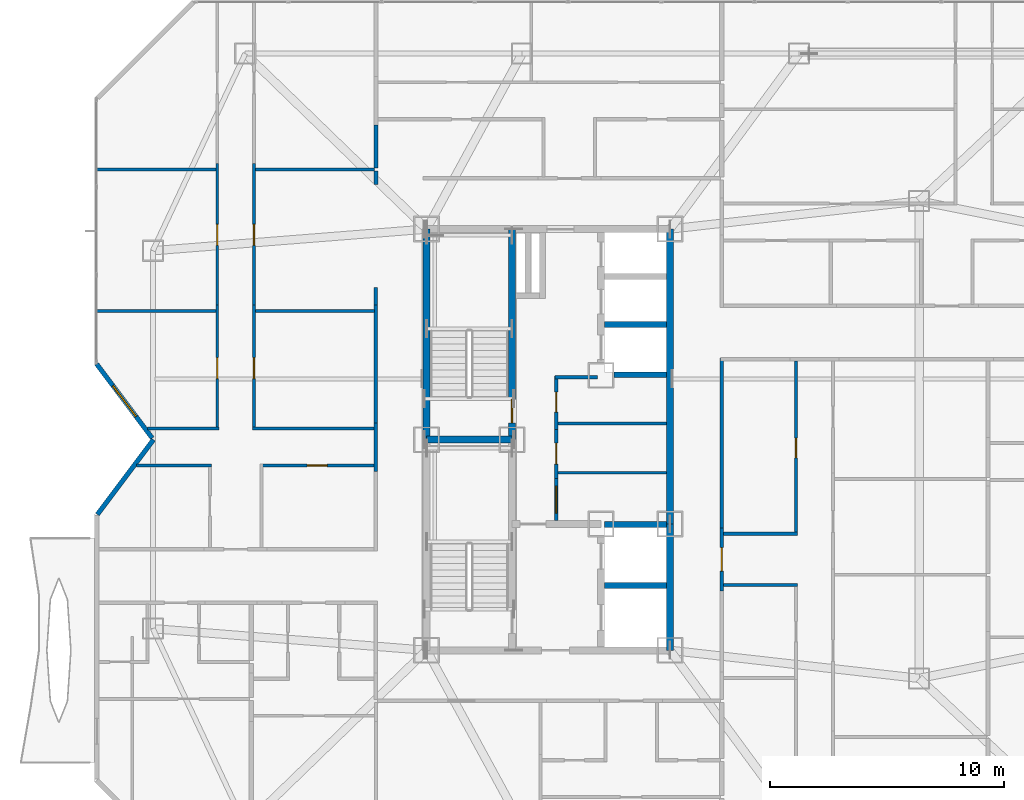
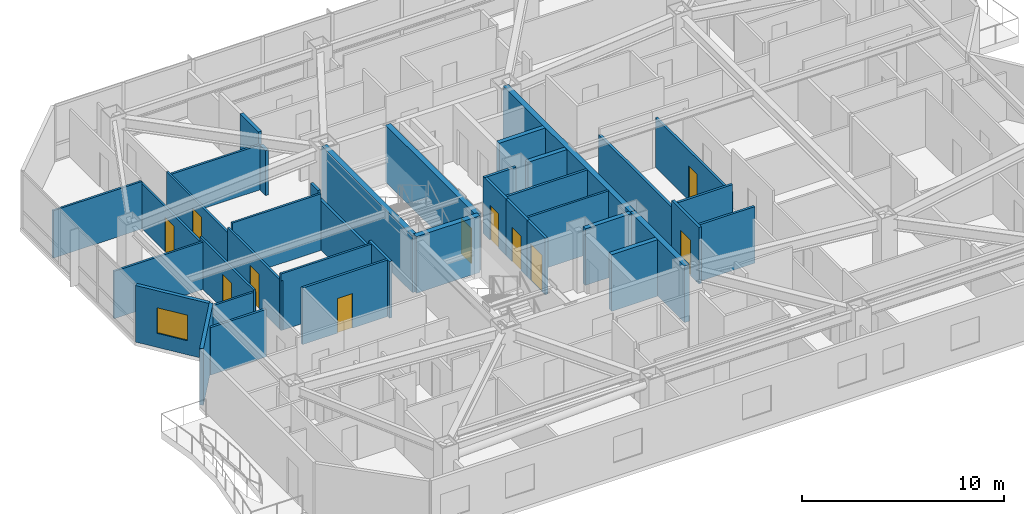
# One storey, part 16 of 21: 39 walls, 11 doors, 1 window, 12 openings.
"""IFC4 building model written with IfcOpenShell, lengths in metres."""

from ifc_helpers import new_model, si_unit, direction, frame, frame_2d, origin, place, context, subcontext, project, spatial, rectangle, extrude, material, layer, layer_set, type_object, element, fill, save


model = new_model("IFC4")

# Units and contexts
model_context = context("Model", 3, precision=1e-05, world=origin(), true_north=direction((0.0, 1.0)))
body_context = subcontext(model_context, "Body", "Model", "MODEL_VIEW")
ifc_project = project(units=[si_unit("LENGTHUNIT", "METRE"), si_unit("AREAUNIT", "SQUARE_METRE"), si_unit("VOLUMEUNIT", "CUBIC_METRE"), si_unit("PLANEANGLEUNIT", "RADIAN"), si_unit("MASSUNIT", "GRAM", prefix="KILO")], contexts=[model_context])

# Site, building, storey
site_placement = place(None, origin())
site = spatial("IfcSite", under=ifc_project, at=site_placement, CompositionType="ELEMENT")
building_placement = place(site_placement, origin())
building = spatial("IfcBuilding", under=site, at=building_placement, Name="Khamvora Tower", CompositionType="ELEMENT")
storey_placement = place(building_placement, frame((0.0, 0.0, 159.550048828125)))
storey = spatial("IfcBuildingStorey", under=building, at=storey_placement, Name="L40", CompositionType="ELEMENT", Elevation=159.550048828125)

# Walls
ifc_material_1 = material(Name="Concrete C50/60", Category="concrete")
ifc_layer_1 = layer(ifc_material_1, 0.300048828125)
ifc_layer_set_1 = layer_set([ifc_layer_1], Name="Concrete C50/60")
wall_type_1 = type_object("IfcWallType", Name="WAL-CORE-300", PredefinedType="SHEAR", material=ifc_layer_set_1)
wall_1_placement = place(storey_placement, frame((29.0, 28.0, 0.0), z_axis=(0.0, 0.0, 1.0), x_axis=(0.0, 1.0, 0.0)))
element("IfcWall", 1, at=wall_1_placement, inside=storey, type_object=wall_type_1, Name="L40 central core west north wall", PredefinedType="SHEAR", context=body_context, shape_type="SweptSolid", body=[
    extrude(rectangle(XDim=9.0, YDim=0.300048828125, at=frame_2d((4.5, 0.0))), origin(), (0.0, 0.0, 1.0), 3.429931640625),
])
wall_2_placement = place(storey_placement, frame((39.39990234375, 19.0, 0.0), z_axis=(0.0, 0.0, 1.0), x_axis=(0.0, 1.0, 0.0)))
element("IfcWall", 2, at=wall_2_placement, inside=storey, type_object=wall_type_1, Name="L40 central core east south wall", PredefinedType="SHEAR", context=body_context, shape_type="SweptSolid", body=[
    extrude(rectangle(XDim=5.39990234375, YDim=0.300048828125, at=frame_2d((2.699951171875, 0.0))), origin(), (0.0, 0.0, 1.0), 3.429931640625),
])
wall_3_placement = place(storey_placement, frame((39.39990234375, 24.39990234375, 0.0), z_axis=(0.0, 0.0, 1.0), x_axis=(0.0, 1.0, 0.0)))
element("IfcWall", 3, at=wall_3_placement, inside=storey, type_object=wall_type_1, Name="L40 central core east north wall", PredefinedType="SHEAR", context=body_context, shape_type="SweptSolid", body=[
    extrude(rectangle(XDim=12.60009765625, YDim=0.300048828125, at=frame_2d((6.300048828125, 0.0))), origin(), (0.0, 0.0, 1.0), 3.429931640625),
])

# Wall, opening, door
wall_4_placement = place(storey_placement, frame((32.64990234375, 28.0, 0.0), z_axis=(0.0, 0.0, 1.0), x_axis=(0.0, 1.0, 0.0)))
wall_4 = element("IfcWall", 4, at=wall_4_placement, inside=storey, type_object=wall_type_1, Name="L40 central core stair north spine wall", PredefinedType="SHEAR", context=body_context, shape_type="SweptSolid", body=[
    extrude(rectangle(XDim=9.0, YDim=0.300048828125, at=frame_2d((4.5, 0.0))), origin(), (0.0, 0.0, 1.0), 3.429931640625),
])
opening_1_placement = place(wall_4_placement, frame((0.719970703125, 0.0, 0.0)))
opening_1 = element("IfcOpeningElement", 5, at=opening_1_placement, cuts=wall_4, Name="Opening D-ST1", PredefinedType="OPENING", context=body_context, shape_type="SweptSolid", body=[
    extrude(rectangle(XDim=1.0, YDim=2.14990234375, at=frame_2d((0.5, 1.074951171875))), frame((0.0, 0.159912109375, 0.0), z_axis=(0.0, -1.0, 0.0), x_axis=(1.0, 0.0, 0.0)), (0.0, 0.0, 1.0), 0.320068359375),
])
ifc_material_2 = material(Name="Powder-Coated Steel and Hardwood Leaf", Category="steel")
door_type_1 = type_object("IfcDoorType", Name="DOR-STAIR-1000", OperationType="NOTDEFINED", PredefinedType="DOOR", material=ifc_material_2)
door_1_placement = place(opening_1_placement, origin())
door_1 = element("IfcDoor", 6, at=door_1_placement, inside=storey, type_object=door_type_1, Name="L40 exit stair ST-02 fire door", OperationType="SINGLE_SWING_RIGHT", OverallHeight=2.14990234375, OverallWidth=1.0, PredefinedType="DOOR", context=body_context, shape_type="SweptSolid", body=[
    extrude(rectangle(XDim=1.0, YDim=2.14990234375, at=frame_2d((0.5, 1.074951171875))), frame((0.0, 0.02490234375, 0.0), z_axis=(0.0, -1.0, 0.0), x_axis=(1.0, 0.0, 0.0)), (0.0, 0.0, 1.0), 0.050048828125),
])
fill(opening_1, door_1)

# Walls
wall_5_placement = place(storey_placement, frame((29.0, 28.0, 0.0), z_axis=(0.0, 0.0, 1.0), x_axis=(1.0, 0.0, 0.0)))
element("IfcWall", 7, at=wall_5_placement, inside=storey, type_object=wall_type_1, Name="L40 central core stair cross wall", PredefinedType="SHEAR", context=body_context, shape_type="SweptSolid", body=[
    extrude(rectangle(XDim=3.64990234375, YDim=0.300048828125, at=frame_2d((1.824951171875, 0.0))), origin(), (0.0, 0.0, 1.0), 3.429931640625),
])
ifc_material_3 = material(Name="Fire-Rated Drywall and Steel Stud", Category="steel")
ifc_layer_2 = layer(ifc_material_3, 0.14990234375)
ifc_layer_set_2 = layer_set([ifc_layer_2], Name="Fire-Rated Drywall and Steel Stud")
wall_type_2 = type_object("IfcWallType", Name="WAL-CORR-150", PredefinedType="STANDARD", material=ifc_layer_set_2)
wall_6_placement = place(storey_placement, frame((36.300048828125, 30.6650390625, 0.0), z_axis=(0.0, 0.0, 1.0), x_axis=(-1.0, 0.0, 0.0)))
element("IfcWall", 8, at=wall_6_placement, inside=storey, type_object=wall_type_2, Name="L40 interior partition wall 001", PredefinedType="STANDARD", context=body_context, shape_type="SweptSolid", body=[
    extrude(rectangle(XDim=1.820068359375, YDim=0.14990234375, at=frame_2d((0.91015625, 0.0))), origin(), (0.0, 0.0, 1.0), 3.429931640625),
])

# Wall, opening, door
wall_7_placement = place(storey_placement, frame((34.544921875, 30.72998046875, 0.0), z_axis=(0.0, 0.0, 1.0), x_axis=(0.0, -1.0, 0.0)))
wall_7 = element("IfcWall", 9, at=wall_7_placement, inside=storey, type_object=wall_type_2, Name="L40 interior partition wall 002", PredefinedType="STANDARD", context=body_context, shape_type="SweptSolid", body=[
    extrude(rectangle(XDim=2.2939453125, YDim=0.14990234375, at=frame_2d((1.14697265625, 0.0))), origin(), (0.0, 0.0, 1.0), 3.429931640625),
])
opening_2_placement = place(wall_7_placement, frame((0.700927734375, 0.0, 0.0)))
opening_2 = element("IfcOpeningElement", 10, at=opening_2_placement, cuts=wall_7, Name="Opening D-WC1", PredefinedType="OPENING", context=body_context, shape_type="SweptSolid", body=[
    extrude(rectangle(XDim=0.85009765625, YDim=2.10009765625, at=frame_2d((0.425048828125, 1.050048828125))), frame((0.0, 0.0849609375, 0.0), z_axis=(0.0, -1.0, 0.0), x_axis=(1.0, 0.0, 0.0)), (0.0, 0.0, 1.0), 0.169921875),
])
door_type_2 = type_object("IfcDoorType", Name="DOR-WET-850", OperationType="NOTDEFINED", PredefinedType="DOOR", material=ifc_material_2)
door_2_placement = place(opening_2_placement, origin())
door_2 = element("IfcDoor", 11, at=door_2_placement, inside=storey, type_object=door_type_2, Name="L40 interior door PHL-CS1", OperationType="SINGLE_SWING_RIGHT", OverallHeight=2.10009765625, OverallWidth=0.85009765625, PredefinedType="DOOR", context=body_context, shape_type="SweptSolid", body=[
    extrude(rectangle(XDim=0.85009765625, YDim=2.10009765625, at=frame_2d((0.425048828125, 1.050048828125))), frame((0.0, 0.02490234375, 0.0), z_axis=(0.0, -1.0, 0.0), x_axis=(1.0, 0.0, 0.0)), (0.0, 0.0, 1.0), 0.050048828125),
])
fill(opening_2, door_2)

wall_8_placement = place(storey_placement, frame((34.544921875, 28.43603515625, 0.0), z_axis=(0.0, 0.0, 1.0), x_axis=(0.0, -1.0, 0.0)))
wall_8 = element("IfcWall", 12, at=wall_8_placement, inside=storey, type_object=wall_type_2, Name="L40 interior partition wall 003", PredefinedType="STANDARD", context=body_context, shape_type="SweptSolid", body=[
    extrude(rectangle(XDim=2.10009765625, YDim=0.14990234375, at=frame_2d((1.050048828125, 0.0))), origin(), (0.0, 0.0, 1.0), 3.429931640625),
])
opening_3_placement = place(wall_8_placement, frame((0.5791015625, 0.0, 0.0)))
opening_3 = element("IfcOpeningElement", 13, at=opening_3_placement, cuts=wall_8, Name="Opening D-RM1", PredefinedType="OPENING", context=body_context, shape_type="SweptSolid", body=[
    extrude(rectangle(XDim=0.89990234375, YDim=2.10009765625, at=frame_2d((0.449951171875, 1.050048828125))), frame((0.0, 0.0849609375, 0.0), z_axis=(0.0, -1.0, 0.0), x_axis=(1.0, 0.0, 0.0)), (0.0, 0.0, 1.0), 0.169921875),
])
door_type_3 = type_object("IfcDoorType", Name="DOR-ROOM-900", OperationType="NOTDEFINED", PredefinedType="DOOR", material=ifc_material_2)
door_3_placement = place(opening_3_placement, origin())
door_3 = element("IfcDoor", 14, at=door_3_placement, inside=storey, type_object=door_type_3, Name="L40 interior door PHL-CS2", OperationType="SINGLE_SWING_LEFT", OverallHeight=2.10009765625, OverallWidth=0.89990234375, PredefinedType="DOOR", context=body_context, shape_type="SweptSolid", body=[
    extrude(rectangle(XDim=0.89990234375, YDim=2.10009765625, at=frame_2d((0.449951171875, 1.050048828125))), frame((0.0, 0.02490234375, 0.0), z_axis=(0.0, -1.0, 0.0), x_axis=(1.0, 0.0, 0.0)), (0.0, 0.0, 1.0), 0.050048828125),
])
fill(opening_3, door_3)

wall_9_placement = place(storey_placement, frame((34.544921875, 26.3359375, 0.0), z_axis=(0.0, 0.0, 1.0), x_axis=(0.0, -1.0, 0.0)))
wall_9 = element("IfcWall", 15, at=wall_9_placement, inside=storey, type_object=wall_type_2, Name="L40 interior partition wall 004", PredefinedType="STANDARD", context=body_context, shape_type="SweptSolid", body=[
    extrude(rectangle(XDim=1.7919921875, YDim=0.14990234375, at=frame_2d((0.89599609375, 0.0))), origin(), (0.0, 0.0, 1.0), 3.429931640625),
])
opening_4_placement = place(wall_9_placement, frame((0.321044921875, 0.0, 0.0)))
opening_4 = element("IfcOpeningElement", 16, at=opening_4_placement, cuts=wall_9, Name="Opening D-SC1", PredefinedType="OPENING", context=body_context, shape_type="SweptSolid", body=[
    extrude(rectangle(XDim=1.14990234375, YDim=2.199951171875, at=frame_2d((0.574951171875, 1.10009765625))), frame((0.0, 0.0849609375, 0.0), z_axis=(0.0, -1.0, 0.0), x_axis=(1.0, 0.0, 0.0)), (0.0, 0.0, 1.0), 0.169921875),
])
door_type_4 = type_object("IfcDoorType", Name="DOR-SCHL-1150", OperationType="NOTDEFINED", PredefinedType="DOOR", material=ifc_material_2)
door_4_placement = place(opening_4_placement, origin())
door_4 = element("IfcDoor", 17, at=door_4_placement, inside=storey, type_object=door_type_4, Name="L40 interior door PHL-CS3", OperationType="SINGLE_SWING_RIGHT", OverallHeight=2.199951171875, OverallWidth=1.14990234375, PredefinedType="DOOR", context=body_context, shape_type="SweptSolid", body=[
    extrude(rectangle(XDim=1.14990234375, YDim=2.199951171875, at=frame_2d((0.574951171875, 1.10009765625))), frame((0.0, 0.02490234375, 0.0), z_axis=(0.0, -1.0, 0.0), x_axis=(1.0, 0.0, 0.0)), (0.0, 0.0, 1.0), 0.050048828125),
])
fill(opening_4, door_4)

# Walls
wall_10_placement = place(storey_placement, frame((26.8349609375, 26.64599609375, 0.0), z_axis=(0.0, 0.0, 1.0), x_axis=(0.0, 1.0, 0.0)))
element("IfcWall", 18, at=wall_10_placement, inside=storey, type_object=wall_type_2, Name="L40 interior partition wall 016", PredefinedType="STANDARD", context=body_context, shape_type="SweptSolid", body=[
    extrude(rectangle(XDim=2.078125, YDim=0.14990234375, at=frame_2d((1.0390625, 0.0))), origin(), (0.0, 0.0, 1.0), 3.429931640625),
])
wall_11_placement = place(storey_placement, frame((26.8349609375, 28.72412109375, 0.0), z_axis=(0.0, 0.0, 1.0), x_axis=(0.0, 1.0, 0.0)))
element("IfcWall", 19, at=wall_11_placement, inside=storey, type_object=wall_type_2, Name="L40 interior partition wall 020", PredefinedType="STANDARD", context=body_context, shape_type="SweptSolid", body=[
    extrude(rectangle(XDim=5.02392578125, YDim=0.14990234375, at=frame_2d((2.511962890625, 0.0))), origin(), (0.0, 0.0, 1.0), 3.012939453125),
])
wall_12_placement = place(storey_placement, frame((26.8349609375, 33.748046875, 0.0), z_axis=(0.0, 0.0, 1.0), x_axis=(0.0, 1.0, 0.0)))
element("IfcWall", 20, at=wall_12_placement, inside=storey, type_object=wall_type_2, Name="L40 interior partition wall 021", PredefinedType="STANDARD", context=body_context, shape_type="SweptSolid", body=[
    extrude(rectangle(XDim=0.751953125, YDim=0.14990234375, at=frame_2d((0.3759765625, 0.0))), origin(), (0.0, 0.0, 1.0), 3.429931640625),
])

# Wall, opening, door
wall_13_placement = place(storey_placement, frame((41.614990234375, 24.23291015625, 0.0), z_axis=(0.0, 0.0, 1.0), x_axis=(0.0, -1.0, 0.0)))
wall_13 = element("IfcWall", 21, at=wall_13_placement, inside=storey, type_object=wall_type_2, Name="L40 interior partition wall 030", PredefinedType="STANDARD", context=body_context, shape_type="SweptSolid", body=[
    extrude(rectangle(XDim=2.697998046875, YDim=0.14990234375, at=frame_2d((1.34912109375, 0.0))), origin(), (0.0, 0.0, 1.0), 3.429931640625),
])
opening_5_placement = place(wall_13_placement, frame((0.84912109375, 0.0, 0.0)))
opening_5 = element("IfcOpeningElement", 22, at=opening_5_placement, cuts=wall_13, Name="Opening D-U1", PredefinedType="OPENING", context=body_context, shape_type="SweptSolid", body=[
    extrude(rectangle(XDim=1.0, YDim=2.14990234375, at=frame_2d((0.5, 1.074951171875))), frame((0.0, 0.0849609375, 0.0), z_axis=(0.0, -1.0, 0.0), x_axis=(1.0, 0.0, 0.0)), (0.0, 0.0, 1.0), 0.169921875),
])
door_type_5 = type_object("IfcDoorType", Name="DOR-UNIT-1000", OperationType="NOTDEFINED", PredefinedType="DOOR", material=ifc_material_2)
door_5_placement = place(opening_5_placement, origin())
door_5 = element("IfcDoor", 23, at=door_5_placement, inside=storey, type_object=door_type_5, Name="L40 interior door COR-40EAH", OperationType="SINGLE_SWING_RIGHT", OverallHeight=2.14990234375, OverallWidth=1.0, PredefinedType="DOOR", context=body_context, shape_type="SweptSolid", body=[
    extrude(rectangle(XDim=1.0, YDim=2.14990234375, at=frame_2d((0.5, 1.074951171875))), frame((0.0, 0.02490234375, 0.0), z_axis=(0.0, -1.0, 0.0), x_axis=(1.0, 0.0, 0.0)), (0.0, 0.0, 1.0), 0.050048828125),
])
fill(opening_5, door_5)

# Walls
wall_14_placement = place(storey_placement, frame((41.614990234375, 31.5, 0.0), z_axis=(0.0, 0.0, 1.0), x_axis=(0.0, -1.0, 0.0)))
element("IfcWall", 24, at=wall_14_placement, inside=storey, type_object=wall_type_2, Name="L40 interior partition wall 033", PredefinedType="STANDARD", context=body_context, shape_type="SweptSolid", body=[
    extrude(rectangle(XDim=7.26708984375, YDim=0.14990234375, at=frame_2d((3.633544921875, 0.0))), origin(), (0.0, 0.0, 1.0), 3.012939453125),
])
ifc_material_4 = material(Name="Acoustic Double-Stud Fire Wall", Category="gypsum")
ifc_layer_3 = layer(ifc_material_4, 0.179931640625)
ifc_layer_set_3 = layer_set([ifc_layer_3], Name="Acoustic Double-Stud Fire Wall")
wall_type_3 = type_object("IfcWallType", Name="WAL-CORR-180", PredefinedType="STANDARD", material=ifc_layer_set_3)
wall_15_placement = place(storey_placement, frame((26.8349609375, 39.48388671875, 0.0), z_axis=(0.0, 0.0, 1.0), x_axis=(0.0, -1.0, 0.0)))
element("IfcWall", 25, at=wall_15_placement, inside=storey, type_object=wall_type_3, Name="L40 interior partition wall 083", PredefinedType="STANDARD", context=body_context, shape_type="SweptSolid", body=[
    extrude(rectangle(XDim=0.56787109375, YDim=0.179931640625, at=frame_2d((0.283935546875, 0.0))), origin(), (0.0, 0.0, 1.0), 2.724853515625),
])
wall_16_placement = place(storey_placement, frame((26.8349609375, 41.446044921875, 0.0), z_axis=(0.0, 0.0, 1.0), x_axis=(0.0, -1.0, 0.0)))
element("IfcWall", 26, at=wall_16_placement, inside=storey, type_object=wall_type_3, Name="L40 interior partition wall 085", PredefinedType="STANDARD", context=body_context, shape_type="SweptSolid", body=[
    extrude(rectangle(XDim=1.83203125, YDim=0.179931640625, at=frame_2d((0.916015625, 0.0))), origin(), (0.0, 0.0, 1.0), 3.429931640625),
])
ifc_material_5 = material(Name="Precast concrete C40/50", Category="concrete")
ifc_layer_4 = layer(ifc_material_5, 0.199951171875)
ifc_layer_set_4 = layer_set([ifc_layer_4], Name="Precast concrete C40/50")
wall_type_4 = type_object("IfcWallType", Name="WAL-EXT-200", PredefinedType="STANDARD", material=ifc_layer_set_4)
wall_17_placement = place(storey_placement, frame((14.929931640625, 24.806884765625, 0.0), z_axis=(0.0, 0.0, 1.0), x_axis=(0.600029358831, 0.799977980035, 0.0)))
element("IfcWall", 27, at=wall_17_placement, inside=storey, type_object=wall_type_4, Name="L40 exterior facade wall 03.1", PredefinedType="STANDARD", context=body_context, shape_type="SweptSolid", body=[
    extrude(rectangle(XDim=3.991455078125, YDim=0.199951171875, at=frame_2d((1.99560546875, 0.0))), origin(), (0.0, 0.0, 1.0), 3.429931640625),
])

# Wall, opening, window
wall_18_placement = place(storey_placement, frame((17.27294921875, 28.069091796875, 0.0), z_axis=(0.0, 0.0, 1.0), x_axis=(-0.600029630681, 0.799977776132, 0.0)))
wall_18 = element("IfcWall", 28, at=wall_18_placement, inside=storey, type_object=wall_type_4, Name="L40 exterior facade wall 04.1", PredefinedType="STANDARD", context=body_context, shape_type="SweptSolid", body=[
    extrude(rectangle(XDim=3.954833984375, YDim=0.199951171875, at=frame_2d((1.9775390625, 0.0))), origin(), (0.0, 0.0, 1.0), 3.429931640625),
])
opening_6_placement = place(wall_18_placement, frame((1.153076171875, 0.0, 0.85009765625)))
opening_6 = element("IfcOpeningElement", 29, at=opening_6_placement, cuts=wall_18, Name="Opening WN-06", PredefinedType="OPENING", context=body_context, shape_type="SweptSolid", body=[
    extrude(rectangle(XDim=1.64990234375, YDim=1.550048828125, at=frame_2d((0.824951171875, 0.77490234375))), frame((0.0, 0.10986328125, 0.0), z_axis=(0.0, -1.0, 0.0), x_axis=(1.0, 0.0, 0.0)), (0.0, 0.0, 1.0), 0.219970703125),
])
ifc_material_6 = material(Name="Low-E Laminated Double Glazing", Category="glass")
window_type = type_object("IfcWindowType", Name="WIN-VIS-1650x1550", PartitioningType="SINGLE_PANEL", PredefinedType="WINDOW", material=ifc_material_6)
window_placement = place(opening_6_placement, origin())
window = element("IfcWindow", 30, at=window_placement, inside=storey, type_object=window_type, Name="L40 vision window 04.1.01", OverallHeight=1.550048828125, OverallWidth=1.64990234375, PartitioningType="SINGLE_PANEL", PredefinedType="WINDOW", context=body_context, shape_type="SweptSolid", body=[
    extrude(rectangle(XDim=1.64990234375, YDim=1.550048828125, at=frame_2d((0.824951171875, 0.77490234375))), frame((0.0, 0.030029296875, 0.0), z_axis=(0.0, -1.0, 0.0), x_axis=(1.0, 0.0, 0.0)), (0.0, 0.0, 1.0), 0.06005859375),
])
fill(opening_6, window)

# Walls
ifc_material_7 = material(Name="Gypsum Plasterboard Partition", Category="gypsum")
ifc_layer_5 = layer(ifc_material_7, 0.1201171875)
ifc_layer_set_5 = layer_set([ifc_layer_5], Name="Gypsum Plasterboard Partition")
wall_type_5 = type_object("IfcWallType", Name="WAL-PART-120", PredefinedType="PARTITIONING", material=ifc_layer_set_5)
wall_19_placement = place(storey_placement, frame((39.256103515625, 26.5849609375, 0.0), z_axis=(0.0, 0.0, 1.0), x_axis=(-1.0, 0.0, 0.0)))
element("IfcWall", 31, at=wall_19_placement, inside=storey, type_object=wall_type_5, Name="L40 interior partition wall 006", PredefinedType="PARTITIONING", context=body_context, shape_type="SweptSolid", body=[
    extrude(rectangle(XDim=4.64404296875, YDim=0.1201171875, at=frame_2d((2.322021484375, 0.0))), origin(), (0.0, 0.0, 1.0), 3.429931640625),
])
wall_20_placement = place(storey_placement, frame((17.072998046875, 28.47509765625, 0.0), z_axis=(0.0, 0.0, 1.0), x_axis=(1.0, 0.0, 0.0)))
element("IfcWall", 32, at=wall_20_placement, inside=storey, type_object=wall_type_5, Name="L40 interior partition wall 071", PredefinedType="PARTITIONING", context=body_context, shape_type="SweptSolid", body=[
    extrude(rectangle(XDim=3.047119140625, YDim=0.1201171875, at=frame_2d((1.5234375, 0.0))), origin(), (0.0, 0.0, 1.0), 2.8759765625),
])

# Wall, opening, door
wall_21_placement = place(storey_placement, frame((20.054931640625, 28.409912109375, 0.0), z_axis=(0.0, 0.0, 1.0), x_axis=(0.0, 1.0, 0.0)))
wall_21 = element("IfcWall", 33, at=wall_21_placement, inside=storey, type_object=wall_type_5, Name="L40 interior partition wall 072", PredefinedType="PARTITIONING", context=body_context, shape_type="SweptSolid", body=[
    extrude(rectangle(XDim=5.338134765625, YDim=0.1201171875, at=frame_2d((2.6689453125, 0.0))), origin(), (0.0, 0.0, 1.0), 3.012939453125),
])
opening_7_placement = place(wall_21_placement, frame((2.197998046875, 0.0, 0.0)))
opening_7 = element("IfcOpeningElement", 34, at=opening_7_placement, cuts=wall_21, Name="Opening D-RM1", PredefinedType="OPENING", context=body_context, shape_type="SweptSolid", body=[
    extrude(rectangle(XDim=0.89990234375, YDim=2.10009765625, at=frame_2d((0.449951171875, 1.050048828125))), frame((0.0, 0.070068359375, 0.0), z_axis=(0.0, -1.0, 0.0), x_axis=(1.0, 0.0, 0.0)), (0.0, 0.0, 1.0), 0.14013671875),
])
door_6_placement = place(opening_7_placement, origin())
door_6 = element("IfcDoor", 35, at=door_6_placement, inside=storey, type_object=door_type_3, Name="L40 interior door 40WCH-40WCL", OperationType="SINGLE_SWING_LEFT", OverallHeight=2.10009765625, OverallWidth=0.89990234375, PredefinedType="DOOR", context=body_context, shape_type="SweptSolid", body=[
    extrude(rectangle(XDim=0.89990234375, YDim=2.10009765625, at=frame_2d((0.449951171875, 1.050048828125))), frame((0.0, 0.02490234375, 0.0), z_axis=(0.0, -1.0, 0.0), x_axis=(1.0, 0.0, 0.0)), (0.0, 0.0, 1.0), 0.050048828125),
])
fill(opening_7, door_6)

wall_22_placement = place(storey_placement, frame((20.054931640625, 33.748046875, 0.0), z_axis=(0.0, 0.0, 1.0), x_axis=(0.0, 1.0, 0.0)))
wall_22 = element("IfcWall", 36, at=wall_22_placement, inside=storey, type_object=wall_type_5, Name="L40 interior partition wall 073", PredefinedType="PARTITIONING", context=body_context, shape_type="SweptSolid", body=[
    extrude(rectangle(XDim=6.050048828125, YDim=0.1201171875, at=frame_2d((3.02490234375, 0.0))), origin(), (0.0, 0.0, 1.0), 2.724853515625),
])
opening_8_placement = place(wall_22_placement, frame((2.553955078125, 0.0, 0.0)))
opening_8 = element("IfcOpeningElement", 37, at=opening_8_placement, cuts=wall_22, Name="Opening D-RM1", PredefinedType="OPENING", context=body_context, shape_type="SweptSolid", body=[
    extrude(rectangle(XDim=0.89990234375, YDim=2.10009765625, at=frame_2d((0.449951171875, 1.050048828125))), frame((0.0, 0.070068359375, 0.0), z_axis=(0.0, -1.0, 0.0), x_axis=(1.0, 0.0, 0.0)), (0.0, 0.0, 1.0), 0.14013671875),
])
door_7_placement = place(opening_8_placement, origin())
door_7 = element("IfcDoor", 38, at=door_7_placement, inside=storey, type_object=door_type_3, Name="L40 interior door 40WCH-40WCR2", OperationType="SINGLE_SWING_RIGHT", OverallHeight=2.10009765625, OverallWidth=0.89990234375, PredefinedType="DOOR", context=body_context, shape_type="SweptSolid", body=[
    extrude(rectangle(XDim=0.89990234375, YDim=2.10009765625, at=frame_2d((0.449951171875, 1.050048828125))), frame((0.0, 0.02490234375, 0.0), z_axis=(0.0, -1.0, 0.0), x_axis=(1.0, 0.0, 0.0)), (0.0, 0.0, 1.0), 0.050048828125),
])
fill(opening_8, door_7)

wall_23_placement = place(storey_placement, frame((21.625, 33.748046875, 0.0), z_axis=(0.0, 0.0, 1.0), x_axis=(0.0, -1.0, 0.0)))
wall_23 = element("IfcWall", 39, at=wall_23_placement, inside=storey, type_object=wall_type_5, Name="L40 interior partition wall 075", PredefinedType="PARTITIONING", context=body_context, shape_type="SweptSolid", body=[
    extrude(rectangle(XDim=5.338134765625, YDim=0.1201171875, at=frame_2d((2.6689453125, 0.0))), origin(), (0.0, 0.0, 1.0), 3.012939453125),
])
opening_9_placement = place(wall_23_placement, frame((2.239990234375, 0.0, 0.0)))
opening_9 = element("IfcOpeningElement", 40, at=opening_9_placement, cuts=wall_23, Name="Opening D-RM1", PredefinedType="OPENING", context=body_context, shape_type="SweptSolid", body=[
    extrude(rectangle(XDim=0.89990234375, YDim=2.10009765625, at=frame_2d((0.449951171875, 1.050048828125))), frame((0.0, 0.070068359375, 0.0), z_axis=(0.0, -1.0, 0.0), x_axis=(1.0, 0.0, 0.0)), (0.0, 0.0, 1.0), 0.14013671875),
])
door_8_placement = place(opening_9_placement, origin())
door_8 = element("IfcDoor", 41, at=door_8_placement, inside=storey, type_object=door_type_3, Name="L40 interior door 40WCH-40WCR4", OperationType="SINGLE_SWING_RIGHT", OverallHeight=2.10009765625, OverallWidth=0.89990234375, PredefinedType="DOOR", context=body_context, shape_type="SweptSolid", body=[
    extrude(rectangle(XDim=0.89990234375, YDim=2.10009765625, at=frame_2d((0.449951171875, 1.050048828125))), frame((0.0, 0.02490234375, 0.0), z_axis=(0.0, -1.0, 0.0), x_axis=(1.0, 0.0, 0.0)), (0.0, 0.0, 1.0), 0.050048828125),
])
fill(opening_9, door_8)

# Wall
wall_24_placement = place(storey_placement, frame((21.56005859375, 28.47509765625, 0.0), z_axis=(0.0, 0.0, 1.0), x_axis=(1.0, 0.0, 0.0)))
element("IfcWall", 42, at=wall_24_placement, inside=storey, type_object=wall_type_5, Name="L40 interior partition wall 076", PredefinedType="PARTITIONING", context=body_context, shape_type="SweptSolid", body=[
    extrude(rectangle(XDim=5.2099609375, YDim=0.1201171875, at=frame_2d((2.60498046875, 0.0))), origin(), (0.0, 0.0, 1.0), 3.429931640625),
])

# Wall, opening, door
wall_25_placement = place(storey_placement, frame((21.625, 39.798095703125, 0.0), z_axis=(0.0, 0.0, 1.0), x_axis=(0.0, -1.0, 0.0)))
wall_25 = element("IfcWall", 43, at=wall_25_placement, inside=storey, type_object=wall_type_5, Name="L40 interior partition wall 077", PredefinedType="PARTITIONING", context=body_context, shape_type="SweptSolid", body=[
    extrude(rectangle(XDim=6.050048828125, YDim=0.1201171875, at=frame_2d((3.02490234375, 0.0))), origin(), (0.0, 0.0, 1.0), 2.724853515625),
])
opening_10_placement = place(wall_25_placement, frame((2.595947265625, 0.0, 0.0)))
opening_10 = element("IfcOpeningElement", 44, at=opening_10_placement, cuts=wall_25, Name="Opening D-RM1", PredefinedType="OPENING", context=body_context, shape_type="SweptSolid", body=[
    extrude(rectangle(XDim=0.89990234375, YDim=2.10009765625, at=frame_2d((0.449951171875, 1.050048828125))), frame((0.0, 0.070068359375, 0.0), z_axis=(0.0, -1.0, 0.0), x_axis=(1.0, 0.0, 0.0)), (0.0, 0.0, 1.0), 0.14013671875),
])
door_9_placement = place(opening_10_placement, origin())
door_9 = element("IfcDoor", 45, at=door_9_placement, inside=storey, type_object=door_type_3, Name="L40 interior door 40WCH-40WCR5", OperationType="SINGLE_SWING_LEFT", OverallHeight=2.10009765625, OverallWidth=0.89990234375, PredefinedType="DOOR", context=body_context, shape_type="SweptSolid", body=[
    extrude(rectangle(XDim=0.89990234375, YDim=2.10009765625, at=frame_2d((0.449951171875, 1.050048828125))), frame((0.0, 0.02490234375, 0.0), z_axis=(0.0, -1.0, 0.0), x_axis=(1.0, 0.0, 0.0)), (0.0, 0.0, 1.0), 0.050048828125),
])
fill(opening_10, door_9)

# Walls
for number, where, z_axis, x_axis, name in (
    (46, (14.909912109375, 33.4990234375, 0.0), (0.0, 0.0, 1.0), (1.0, 0.0, 0.0), "L40 interior partition wall 079"),
    (47, (14.909912109375, 39.549072265625, 0.0), (0.0, 0.0, 1.0), (1.0, 0.0, 0.0), "L40 interior partition wall 080"),
):
    element("IfcWall", number, at=place(storey_placement, frame(where, z_axis=z_axis, x_axis=x_axis)), inside=storey, type_object=wall_type_5, Name=name, PredefinedType="PARTITIONING", context=body_context, shape_type="SweptSolid", body=[
        extrude(rectangle(XDim=5.091064453125, YDim=0.1201171875, at=frame_2d((2.54541015625, 0.0))), origin(), (0.0, 0.0, 1.0), 2.8759765625),
    ])
wall_26_placement = place(storey_placement, frame((21.678955078125, 33.4990234375, 0.0), z_axis=(0.0, 0.0, 1.0), x_axis=(1.0, 0.0, 0.0)))
element("IfcWall", 48, at=wall_26_placement, inside=storey, type_object=wall_type_5, Name="L40 interior partition wall 081", PredefinedType="PARTITIONING", context=body_context, shape_type="SweptSolid", body=[
    extrude(rectangle(XDim=5.091064453125, YDim=0.1201171875, at=frame_2d((2.54541015625, 0.0))), origin(), (0.0, 0.0, 1.0), 3.429931640625),
])
wall_27_placement = place(storey_placement, frame((21.678955078125, 39.549072265625, 0.0), z_axis=(0.0, 0.0, 1.0), x_axis=(1.0, 0.0, 0.0)))
element("IfcWall", 49, at=wall_27_placement, inside=storey, type_object=wall_type_5, Name="L40 interior partition wall 082", PredefinedType="PARTITIONING", context=body_context, shape_type="SweptSolid", body=[
    extrude(rectangle(XDim=5.091064453125, YDim=0.1201171875, at=frame_2d((2.54541015625, 0.0))), origin(), (0.0, 0.0, 1.0), 2.724853515625),
])
ifc_material_8 = material(Name="Concrete C40/50", Category="concrete")
ifc_layer_6 = layer(ifc_material_8, 0.25)
ifc_layer_set_6 = layer_set([ifc_layer_6], Name="Concrete C40/50")
wall_type_6 = type_object("IfcWallType", Name="WAL-PODS-250", PredefinedType="SHEAR", material=ifc_layer_set_6)
for number, where, z_axis, x_axis, name in (
    (50, (36.60400390625, 21.77490234375, 0.0), (0.0, 0.0, 1.0), (1.0, 0.0, 0.0), "L40 lift shaft divider wall FFL-01"),
    (51, (36.60400390625, 24.375, 0.0), (0.0, 0.0, 1.0), (1.0, 0.0, 0.0), "L40 lift shaft divider wall FFL-02"),
):
    element("IfcWall", number, at=place(storey_placement, frame(where, z_axis=z_axis, x_axis=x_axis)), inside=storey, type_object=wall_type_6, Name=name, PredefinedType="SHEAR", context=body_context, shape_type="SweptSolid", body=[
        extrude(rectangle(XDim=2.64208984375, YDim=0.25, at=frame_2d((1.321044921875, 0.0))), origin(), (0.0, 0.0, 1.0), 3.429931640625),
    ])
wall_28_placement = place(storey_placement, frame((37.00390625, 30.77490234375, 0.0), z_axis=(0.0, 0.0, 1.0), x_axis=(1.0, 0.0, 0.0)))
element("IfcWall", 52, at=wall_28_placement, inside=storey, type_object=wall_type_6, Name="L40 high-rise lift shaft south enclosure wall PH-01", PredefinedType="SHEAR", context=body_context, shape_type="SweptSolid", body=[
    extrude(rectangle(XDim=2.2421875, YDim=0.25, at=frame_2d((1.12109375, 0.0))), origin(), (0.0, 0.0, 1.0), 3.429931640625),
])
wall_29_placement = place(storey_placement, frame((36.60400390625, 32.925048828125, 0.0), z_axis=(0.0, 0.0, 1.0), x_axis=(1.0, 0.0, 0.0)))
element("IfcWall", 53, at=wall_29_placement, inside=storey, type_object=wall_type_6, Name="L40 lift shaft divider wall PH-01", PredefinedType="SHEAR", context=body_context, shape_type="SweptSolid", body=[
    extrude(rectangle(XDim=2.64208984375, YDim=0.25, at=frame_2d((1.321044921875, 0.0))), origin(), (0.0, 0.0, 1.0), 3.429931640625),
])
ifc_material_9 = material(Name="Moisture-Resistant Plasterboard Partition", Category="gypsum")
ifc_layer_7 = layer(ifc_material_9, 0.135009765625)
ifc_layer_set_7 = layer_set([ifc_layer_7], Name="Moisture-Resistant Plasterboard Partition")
wall_type_7 = type_object("IfcWallType", Name="WAL-WET-135", PredefinedType="PARTITIONING", material=ifc_layer_set_7)
wall_30_placement = place(storey_placement, frame((39.256103515625, 28.68505859375, 0.0), z_axis=(0.0, 0.0, 1.0), x_axis=(-1.0, 0.0, 0.0)))
element("IfcWall", 54, at=wall_30_placement, inside=storey, type_object=wall_type_7, Name="L40 interior partition wall 005", PredefinedType="PARTITIONING", context=body_context, shape_type="SweptSolid", body=[
    extrude(rectangle(XDim=4.64404296875, YDim=0.135009765625, at=frame_2d((2.322021484375, 0.0))), origin(), (0.0, 0.0, 1.0), 3.429931640625),
])
wall_31_placement = place(storey_placement, frame((19.804931640625, 26.89501953125, 0.0), z_axis=(0.0, 0.0, 1.0), x_axis=(-1.0, 0.0, 0.0)))
element("IfcWall", 55, at=wall_31_placement, inside=storey, type_object=wall_type_7, Name="L40 interior partition wall 068", PredefinedType="PARTITIONING", context=body_context, shape_type="SweptSolid", body=[
    extrude(rectangle(XDim=3.203857421875, YDim=0.135009765625, at=frame_2d((1.60205078125, 0.0))), origin(), (0.0, 0.0, 1.0), 2.8759765625),
])

# Wall, opening, door
wall_32_placement = place(storey_placement, frame((26.77001953125, 26.89501953125, 0.0), z_axis=(0.0, 0.0, 1.0), x_axis=(-1.0, 0.0, 0.0)))
wall_32 = element("IfcWall", 56, at=wall_32_placement, inside=storey, type_object=wall_type_7, Name="L40 interior partition wall 069", PredefinedType="PARTITIONING", context=body_context, shape_type="SweptSolid", body=[
    extrude(rectangle(XDim=4.89501953125, YDim=0.135009765625, at=frame_2d((2.447509765625, 0.0))), origin(), (0.0, 0.0, 1.0), 3.429931640625),
])
opening_11_placement = place(wall_32_placement, frame((2.02197265625, 0.0, 0.0)))
opening_11 = element("IfcOpeningElement", 57, at=opening_11_placement, cuts=wall_32, Name="Opening D-RM2", PredefinedType="OPENING", context=body_context, shape_type="SweptSolid", body=[
    extrude(rectangle(XDim=0.85009765625, YDim=2.10009765625, at=frame_2d((0.425048828125, 1.050048828125))), frame((0.0, 0.077392578125, 0.0), z_axis=(0.0, -1.0, 0.0), x_axis=(1.0, 0.0, 0.0)), (0.0, 0.0, 1.0), 0.155029296875),
])
door_type_6 = type_object("IfcDoorType", Name="DOR-ROOM-850", OperationType="NOTDEFINED", PredefinedType="DOOR", material=ifc_material_2)
door_10_placement = place(opening_11_placement, origin())
door_10 = element("IfcDoor", 58, at=door_10_placement, inside=storey, type_object=door_type_6, Name="L40 interior door 40WCH-40WCK", OperationType="SINGLE_SWING_RIGHT", OverallHeight=2.10009765625, OverallWidth=0.85009765625, PredefinedType="DOOR", context=body_context, shape_type="SweptSolid", body=[
    extrude(rectangle(XDim=0.85009765625, YDim=2.10009765625, at=frame_2d((0.425048828125, 1.050048828125))), frame((0.0, 0.02490234375, 0.0), z_axis=(0.0, -1.0, 0.0), x_axis=(1.0, 0.0, 0.0)), (0.0, 0.0, 1.0), 0.050048828125),
])
fill(opening_11, door_10)

# Walls
for number, where, z_axis, x_axis, name in (
    (59, (44.85302734375, 21.783935546875, 0.0), (0.0, 0.0, 1.0), (-1.0, 0.0, 0.0), "L40 interior partition wall 109"),
    (60, (41.681884765625, 23.98388671875, 0.0), (0.0, 0.0, 1.0), (1.0, 0.0, 0.0), "L40 interior partition wall 110"),
):
    element("IfcWall", number, at=place(storey_placement, frame(where, z_axis=z_axis, x_axis=x_axis)), inside=storey, type_object=wall_type_7, Name=name, PredefinedType="PARTITIONING", context=body_context, shape_type="SweptSolid", body=[
        extrude(rectangle(XDim=3.171142578125, YDim=0.135009765625, at=frame_2d((1.58544921875, 0.0))), origin(), (0.0, 0.0, 1.0), 3.429931640625),
    ])

# Wall, opening, door
wall_33_placement = place(storey_placement, frame((44.7880859375, 23.9189453125, 0.0), z_axis=(0.0, 0.0, 1.0), x_axis=(0.0, 1.0, 0.0)))
wall_33 = element("IfcWall", 61, at=wall_33_placement, inside=storey, type_object=wall_type_7, Name="L40 interior partition wall 111", PredefinedType="PARTITIONING", context=body_context, shape_type="SweptSolid", body=[
    extrude(rectangle(XDim=7.448974609375, YDim=0.135009765625, at=frame_2d((3.724609375, 0.0))), origin(), (0.0, 0.0, 1.0), 3.012939453125),
])
opening_12_placement = place(wall_33_placement, frame((3.300048828125, 0.0, 0.0)))
opening_12 = element("IfcOpeningElement", 62, at=opening_12_placement, cuts=wall_33, Name="Opening D-RM2", PredefinedType="OPENING", context=body_context, shape_type="SweptSolid", body=[
    extrude(rectangle(XDim=0.85009765625, YDim=2.10009765625, at=frame_2d((0.425048828125, 1.050048828125))), frame((0.0, 0.077392578125, 0.0), z_axis=(0.0, -1.0, 0.0), x_axis=(1.0, 0.0, 0.0)), (0.0, 0.0, 1.0), 0.155029296875),
])
door_11_placement = place(opening_12_placement, origin())
door_11 = element("IfcDoor", 63, at=door_11_placement, inside=storey, type_object=door_type_6, Name="L40 interior door 40EAH-40EAK", OperationType="SINGLE_SWING_RIGHT", OverallHeight=2.10009765625, OverallWidth=0.85009765625, PredefinedType="DOOR", context=body_context, shape_type="SweptSolid", body=[
    extrude(rectangle(XDim=0.85009765625, YDim=2.10009765625, at=frame_2d((0.425048828125, 1.050048828125))), frame((0.0, 0.02490234375, 0.0), z_axis=(0.0, -1.0, 0.0), x_axis=(1.0, 0.0, 0.0)), (0.0, 0.0, 1.0), 0.050048828125),
])
fill(opening_12, door_11)

save(model, "model.ifc")
